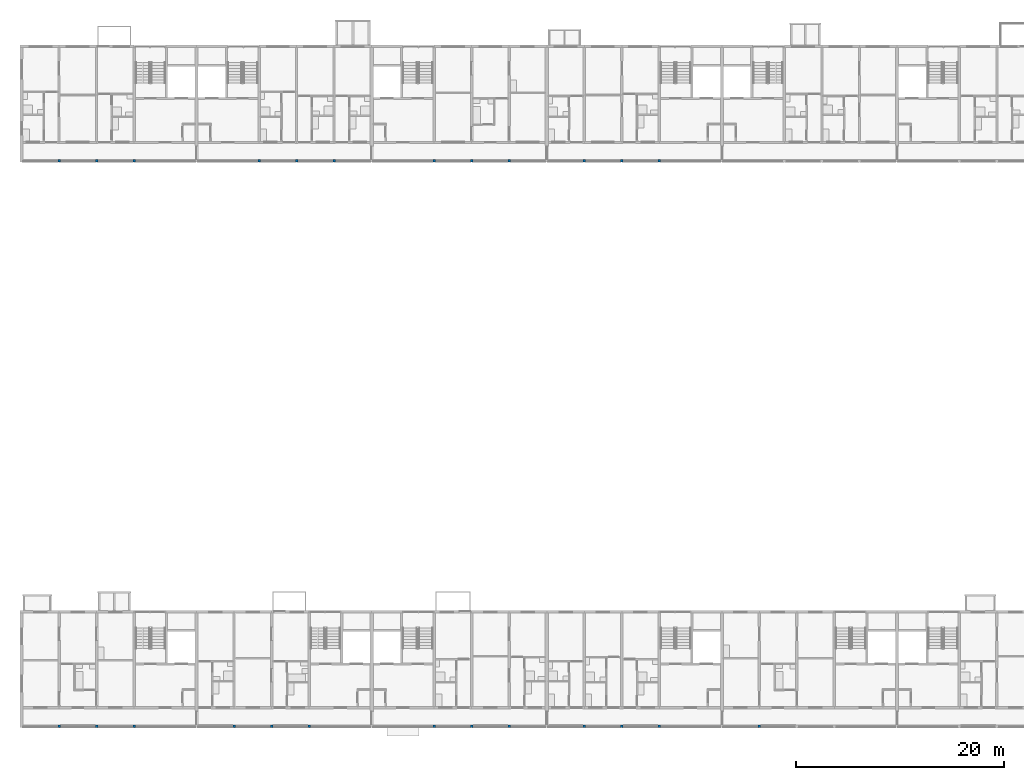
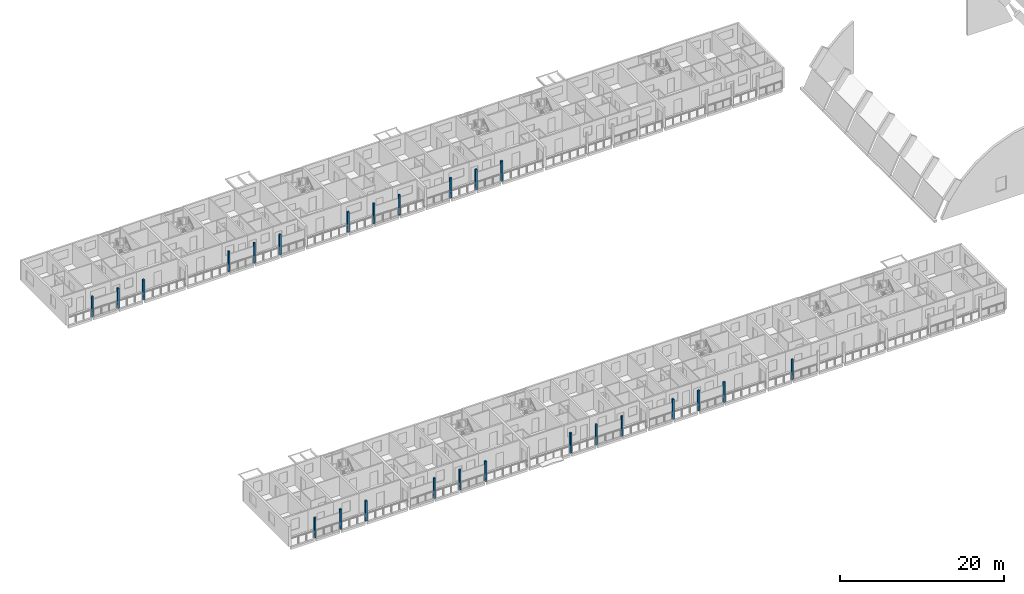
# One storey, part 1 of 100: 25 columns.
"""IFC4 building model written with IfcOpenShell, lengths in metres."""

from ifc_helpers import new_model, si_unit, direction, frame, origin, origin_2d, place, context, subcontext, project, spatial, rectangle, extrude, material, material_profile, profile_set, type_object, element, save


model = new_model("IFC4")

# Units and contexts
model_context = context("Model", 3, precision=1e-05, world=origin(), true_north=direction((0.0, 1.0)))
body_context = subcontext(model_context, "Body", "Model", "MODEL_VIEW")
ifc_project = project(units=[si_unit("LENGTHUNIT", "METRE"), si_unit("AREAUNIT", "SQUARE_METRE"), si_unit("VOLUMEUNIT", "CUBIC_METRE"), si_unit("PLANEANGLEUNIT", "RADIAN"), si_unit("MASSUNIT", "GRAM", prefix="KILO")], contexts=[model_context])

# Site, building, storey
site_placement = place(None, origin())
site = spatial("IfcSite", under=ifc_project, at=site_placement, CompositionType="ELEMENT")
building_placement = place(site_placement, origin())
building = spatial("IfcBuilding", under=site, at=building_placement, Name="Ridgestep Commons", CompositionType="ELEMENT")
storey_placement = place(building_placement, frame((0.0, 0.0, 9.0)))
storey = spatial("IfcBuildingStorey", under=building, at=storey_placement, Name="L03", CompositionType="ELEMENT", Elevation=9.0)

# Columns
ifc_material = material(Name="Precast concrete C40/50", Category="concrete")
ifc_material_profile = material_profile(ifc_material, rectangle(XDim=0.25, YDim=0.25, at=origin_2d()), Name="PC 250x250")
ifc_profile_set = profile_set([ifc_material_profile], Name="Precast concrete C40/50")
column_type = type_object("IfcColumnType", Name="Loggia column 250 x 250", PredefinedType="COLUMN", material=ifc_profile_set)
for number, where, z_axis, x_axis, name in (
    (1, (15.60009765625, 11.875, 0.0), (0.0, 0.0, 1.0), (1.0, 0.0, 0.0), "Loggia column A L03"),
    (2, (19.199951171875, 11.875, 0.0), (0.0, 0.0, 1.0), (1.0, 0.0, 0.0), "Loggia column A L03"),
    (3, (22.800048828125, 11.875, 0.0), (0.0, 0.0, 1.0), (1.0, 0.0, 0.0), "Loggia column A L03"),
    (4, (32.39990234375, 11.875, 0.0), (0.0, 0.0, 1.0), (1.0, 0.0, 0.0), "Loggia column A L03"),
    (5, (36.0, 11.875, 0.0), (0.0, 0.0, 1.0), (1.0, 0.0, 0.0), "Loggia column A L03"),
    (6, (39.60009765625, 11.875, 0.0), (0.0, 0.0, 1.0), (1.0, 0.0, 0.0), "Loggia column A L03"),
    (7, (51.60009765625, 11.875, 0.0), (0.0, 0.0, 1.0), (1.0, 0.0, 0.0), "Loggia column A L03"),
    (8, (55.199951171875, 11.875, 0.0), (0.0, 0.0, 1.0), (1.0, 0.0, 0.0), "Loggia column A L03"),
    (9, (58.800048828125, 11.875, 0.0), (0.0, 0.0, 1.0), (1.0, 0.0, 0.0), "Loggia column A L03"),
    (10, (66.0, 11.875, 0.0), (0.0, 0.0, 1.0), (1.0, 0.0, 0.0), "Loggia column A L03"),
    (11, (69.60009765625, 11.875, 0.0), (0.0, 0.0, 1.0), (1.0, 0.0, 0.0), "Loggia column A L03"),
    (12, (73.199951171875, 11.875, 0.0), (0.0, 0.0, 1.0), (1.0, 0.0, 0.0), "Loggia column A L03"),
    (13, (82.800048828125, 11.875, 0.0), (0.0, 0.0, 1.0), (1.0, 0.0, 0.0), "Loggia column A L03"),
    (14, (15.60009765625, 66.125, 0.0), (0.0, 0.0, 1.0), (1.0, 0.0, 0.0), "Loggia column B L03"),
    (15, (19.199951171875, 66.125, 0.0), (0.0, 0.0, 1.0), (1.0, 0.0, 0.0), "Loggia column B L03"),
    (16, (22.800048828125, 66.125, 0.0), (0.0, 0.0, 1.0), (1.0, 0.0, 0.0), "Loggia column B L03"),
    (17, (34.800048828125, 66.125, 0.0), (0.0, 0.0, 1.0), (1.0, 0.0, 0.0), "Loggia column B L03"),
    (18, (38.39990234375, 66.125, 0.0), (0.0, 0.0, 1.0), (1.0, 0.0, 0.0), "Loggia column B L03"),
    (19, (42.0, 66.125, 0.0), (0.0, 0.0, 1.0), (1.0, 0.0, 0.0), "Loggia column B L03"),
    (20, (51.60009765625, 66.125, 0.0), (0.0, 0.0, 1.0), (1.0, 0.0, 0.0), "Loggia column B L03"),
    (21, (55.199951171875, 66.125, 0.0), (0.0, 0.0, 1.0), (1.0, 0.0, 0.0), "Loggia column B L03"),
    (22, (58.800048828125, 66.125, 0.0), (0.0, 0.0, 1.0), (1.0, 0.0, 0.0), "Loggia column B L03"),
    (23, (66.0, 66.125, 0.0), (0.0, 0.0, 1.0), (1.0, 0.0, 0.0), "Loggia column B L03"),
    (24, (69.60009765625, 66.125, 0.0), (0.0, 0.0, 1.0), (1.0, 0.0, 0.0), "Loggia column B L03"),
    (25, (73.199951171875, 66.125, 0.0), (0.0, 0.0, 1.0), (1.0, 0.0, 0.0), "Loggia column B L03"),
):
    element("IfcColumn", number, at=place(storey_placement, frame(where, z_axis=z_axis, x_axis=x_axis)), inside=storey, type_object=column_type, Name=name, PredefinedType="COLUMN", context=body_context, shape_type="SweptSolid", body=[
        extrude(rectangle(XDim=0.25, YDim=0.25, at=origin_2d()), origin(), (0.0, 0.0, 1.0), 3.0),
    ])

save(model, "model.ifc")
